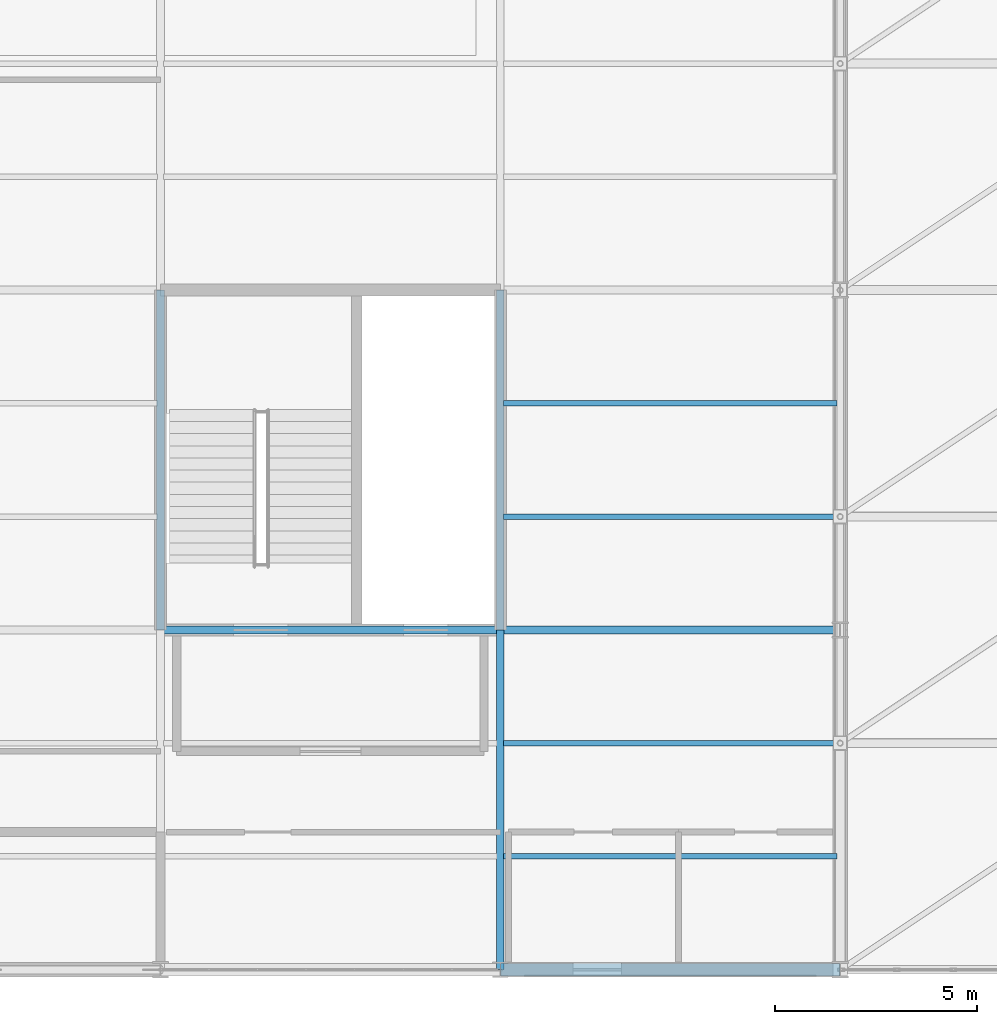
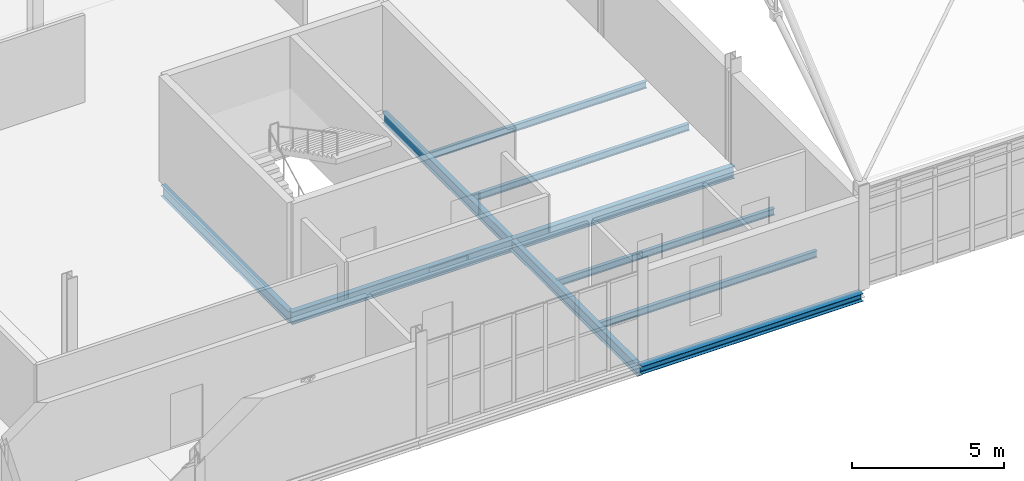
# One storey, part 32 of 184: 10 beams.
"""IFC4 building model written with IfcOpenShell, lengths in metres."""

from ifc_helpers import new_model, si_unit, direction, frame, origin, origin_2d, place, context, subcontext, project, spatial, i_section, extrude, material, material_profile, profile_set, type_object, element, save


model = new_model("IFC4")

# Units and contexts
model_context = context("Model", 3, precision=1e-05, world=origin(), true_north=direction((0.0, 1.0)))
body_context = subcontext(model_context, "Body", "Model", "MODEL_VIEW")
ifc_project = project(units=[si_unit("LENGTHUNIT", "METRE"), si_unit("AREAUNIT", "SQUARE_METRE"), si_unit("VOLUMEUNIT", "CUBIC_METRE"), si_unit("PLANEANGLEUNIT", "RADIAN"), si_unit("MASSUNIT", "GRAM", prefix="KILO")], contexts=[model_context])

# Site, building, storey
site_placement = place(None, origin())
site = spatial("IfcSite", under=ifc_project, at=site_placement, CompositionType="ELEMENT")
building_placement = place(site_placement, origin())
building = spatial("IfcBuilding", under=site, at=building_placement, Name="Qalvenar Corner Mobility Hub", CompositionType="ELEMENT")
storey_placement = place(building_placement, frame((0.0, 0.0, 9.0)))
storey = spatial("IfcBuildingStorey", under=building, at=storey_placement, Name="L02", CompositionType="ELEMENT", Elevation=9.0)

# Beams
ifc_material = material(Name="Steel S355", Category="steel")
ifc_material_profile_1 = material_profile(ifc_material, i_section(OverallWidth=0.18994140625, OverallDepth=0.449951171875, WebThickness=0.009521484375, FlangeThickness=0.0146484375, FilletRadius=0.02099609375, at=origin_2d()), Name="IPE450")
ifc_profile_set_1 = profile_set([ifc_material_profile_1], Name="Steel S355")
beam_type_1 = type_object("IfcBeamType", Name="BM-IPE450", PredefinedType="BEAM", material=ifc_profile_set_1)
beam_1_placement = place(storey_placement, frame((33.60009765625, 8.39990234375, -0.405029296875), z_axis=(0.0, 1.0, 0.0), x_axis=(-1.0, 0.0, 0.0)))
element("IfcBeam", 1, at=beam_1_placement, inside=storey, type_object=beam_type_1, Name="Primary Steel Girder GY-1598", PredefinedType="BEAM", context=body_context, shape_type="SweptSolid", body=[
    extrude(i_section(OverallWidth=0.18994140625, OverallDepth=0.449951171875, WebThickness=0.009521484375, FlangeThickness=0.0146484375, FilletRadius=0.02099609375, at=origin_2d()), origin(), (0.0, 0.0, 1.0), 8.400146484375),
])
beam_2_placement = place(storey_placement, frame((42.0, 0.0, -0.405029296875), z_axis=(0.0, 1.0, 0.0), x_axis=(-1.0, 0.0, 0.0)))
element("IfcBeam", 2, at=beam_2_placement, inside=storey, type_object=beam_type_1, Name="Primary Steel Girder GY-1602", PredefinedType="BEAM", context=body_context, shape_type="SweptSolid", body=[
    extrude(i_section(OverallWidth=0.18994140625, OverallDepth=0.449951171875, WebThickness=0.009521484375, FlangeThickness=0.0146484375, FilletRadius=0.02099609375, at=origin_2d()), origin(), (0.0, 0.0, 1.0), 8.39990234375),
])
beam_3_placement = place(storey_placement, frame((42.0, 8.39990234375, -0.405029296875), z_axis=(0.0, 1.0, 0.0), x_axis=(-1.0, 0.0, 0.0)))
element("IfcBeam", 3, at=beam_3_placement, inside=storey, type_object=beam_type_1, Name="Primary Steel Girder GY-1603", PredefinedType="BEAM", context=body_context, shape_type="SweptSolid", body=[
    extrude(i_section(OverallWidth=0.18994140625, OverallDepth=0.449951171875, WebThickness=0.009521484375, FlangeThickness=0.0146484375, FilletRadius=0.02099609375, at=origin_2d()), origin(), (0.0, 0.0, 1.0), 8.400146484375),
])
ifc_material_profile_2 = material_profile(ifc_material, i_section(OverallWidth=0.199951171875, OverallDepth=0.5, WebThickness=0.01025390625, FlangeThickness=0.01611328125, FilletRadius=0.02099609375, at=origin_2d()), Name="IPE500")
ifc_profile_set_2 = profile_set([ifc_material_profile_2], Name="Steel S355")
beam_type_2 = type_object("IfcBeamType", Name="BM-IPE500", PredefinedType="BEAM", material=ifc_profile_set_2)
for number, where, z_axis, x_axis, name in (
    (4, (33.60009765625, 8.39990234375, -0.429931640625), (1.0, 0.0, 0.0), (0.0, 1.0, 0.0), "Primary Steel Girder GX-1551"),
    (5, (42.0, 8.39990234375, -0.429931640625), (1.0, 0.0, 0.0), (0.0, 1.0, 0.0), "Primary Steel Girder GX-1552"),
):
    element("IfcBeam", number, at=place(storey_placement, frame(where, z_axis=z_axis, x_axis=x_axis)), inside=storey, type_object=beam_type_2, Name=name, PredefinedType="BEAM", context=body_context, shape_type="SweptSolid", body=[
        extrude(i_section(OverallWidth=0.199951171875, OverallDepth=0.5, WebThickness=0.01025390625, FlangeThickness=0.01611328125, FilletRadius=0.02099609375, at=origin_2d()), origin(), (0.0, 0.0, 1.0), 8.39990234375),
    ])
ifc_material_profile_3 = material_profile(ifc_material, i_section(OverallWidth=0.135009765625, OverallDepth=0.27001953125, WebThickness=0.006591796875, FlangeThickness=0.01025390625, FilletRadius=0.014892578125, at=origin_2d()), Name="IPE270")
ifc_profile_set_3 = profile_set([ifc_material_profile_3], Name="Steel S355")
beam_type_3 = type_object("IfcBeamType", Name="BM-JST270", PredefinedType="JOIST", material=ifc_profile_set_3)
for number, where, z_axis, x_axis, name in (
    (6, (42.077880859375, 2.800048828125, -0.31494140625), (1.0, 0.0, 0.0), (0.0, 1.0, 0.0), "Composite Floor Joist J-1659"),
    (7, (42.077880859375, 5.60009765625, -0.31494140625), (1.0, 0.0, 0.0), (0.0, 1.0, 0.0), "Composite Floor Joist J-1660"),
    (8, (42.077880859375, 11.199951171875, -0.31494140625), (1.0, 0.0, 0.0), (0.0, 1.0, 0.0), "Composite Floor Joist J-1661"),
    (9, (42.077880859375, 14.0, -0.31494140625), (1.0, 0.0, 0.0), (0.0, 1.0, 0.0), "Composite Floor Joist J-1662"),
):
    element("IfcBeam", number, at=place(storey_placement, frame(where, z_axis=z_axis, x_axis=x_axis)), inside=storey, type_object=beam_type_3, Name=name, PredefinedType="JOIST", context=body_context, shape_type="SweptSolid", body=[
        extrude(i_section(OverallWidth=0.135009765625, OverallDepth=0.27001953125, WebThickness=0.006591796875, FlangeThickness=0.01025390625, FilletRadius=0.014892578125, at=origin_2d()), origin(), (0.0, 0.0, 1.0), 8.244140625),
    ])
ifc_material_profile_4 = material_profile(ifc_material, i_section(OverallWidth=0.300048828125, OverallDepth=0.31005859375, WebThickness=0.009033203125, FlangeThickness=0.015380859375, FilletRadius=0.027099609375, at=origin_2d()), Name="HEA320")
ifc_profile_set_4 = profile_set([ifc_material_profile_4], Name="Steel S355")
beam_type_4 = type_object("IfcBeamType", Name="BM-SPN320", PredefinedType="SPANDREL", material=ifc_profile_set_4)
beam_4_placement = place(storey_placement, frame((42.0, 0.0, -0.3349609375), z_axis=(1.0, 0.0, 0.0), x_axis=(0.0, 1.0, 0.0)))
element("IfcBeam", 10, at=beam_4_placement, inside=storey, type_object=beam_type_4, Name="Primary Steel Girder GX-1546", PredefinedType="SPANDREL", context=body_context, shape_type="SweptSolid", body=[
    extrude(i_section(OverallWidth=0.300048828125, OverallDepth=0.31005859375, WebThickness=0.009033203125, FlangeThickness=0.015380859375, FilletRadius=0.027099609375, at=origin_2d()), origin(), (0.0, 0.0, 1.0), 8.39990234375),
])

save(model, "model.ifc")
